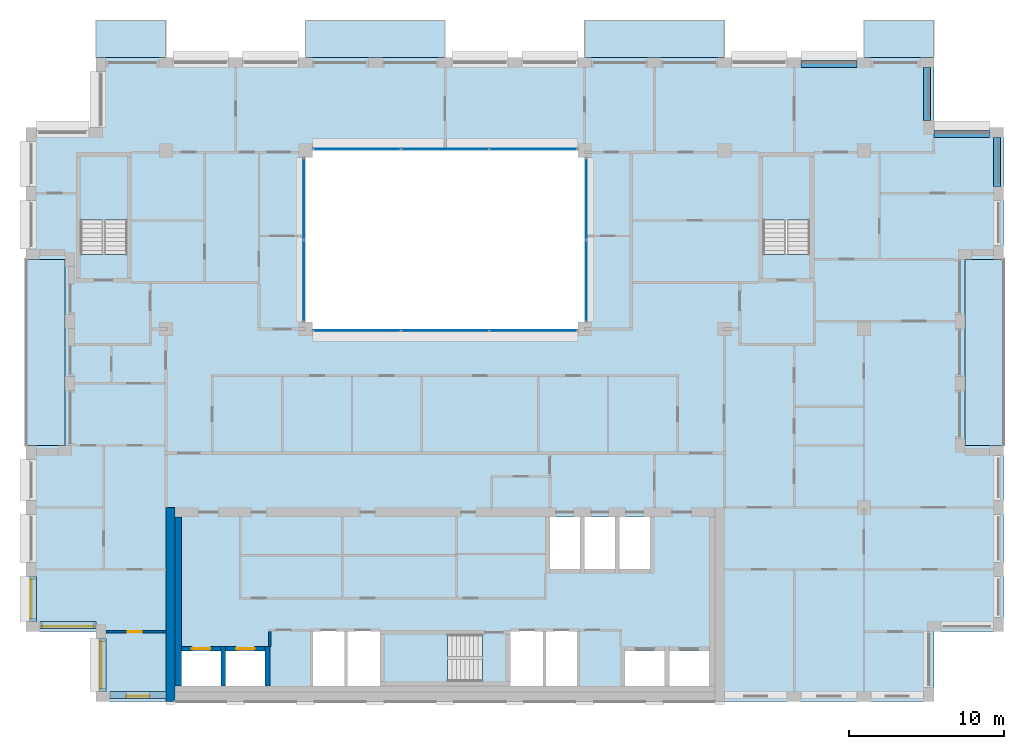
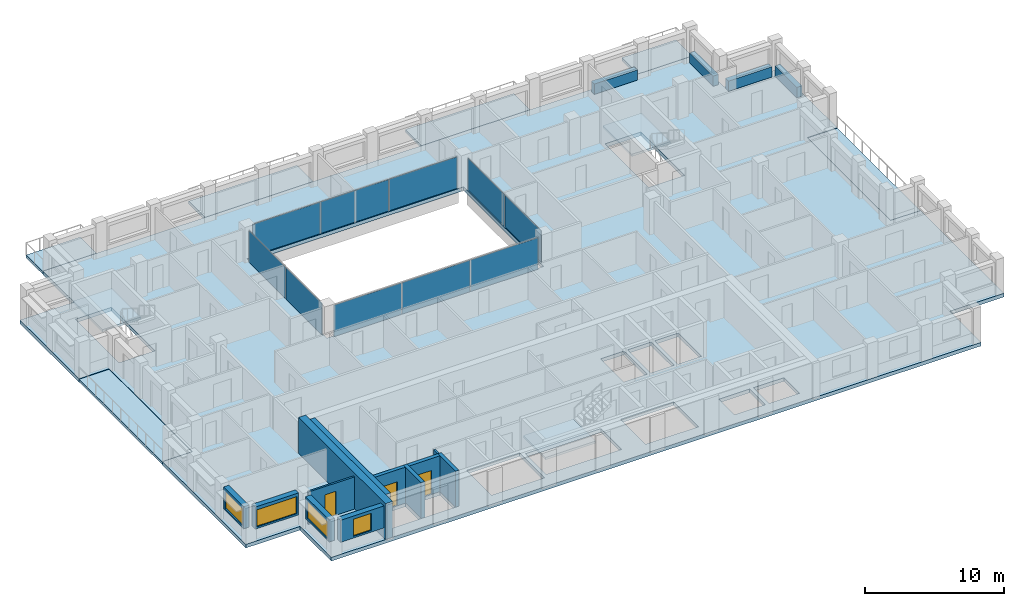
# One storey, part 7 of 15: 12 walls, 10 plates, 10 slabs, 4 beams, 4 windows, 3 doors, 7 openings, 7 elements without a shape of their own.
"""IFC4 building model written with IfcOpenShell, lengths in metres."""

from ifc_helpers import new_model, si_unit, direction, frame, frame_2d, origin, origin_2d, place, context, subcontext, project, spatial, polyline, rectangle, outline, extrude, material, layer, layer_set, material_profile, profile_set, type_object, element, fill, aggregate, save


model = new_model("IFC4")

# Units and contexts
model_context = context("Model", 3, precision=1e-05, world=origin(), true_north=direction((0.0, 1.0)))
body_context = subcontext(model_context, "Body", "Model", "MODEL_VIEW")
ifc_project = project(units=[si_unit("LENGTHUNIT", "METRE"), si_unit("AREAUNIT", "SQUARE_METRE"), si_unit("VOLUMEUNIT", "CUBIC_METRE"), si_unit("PLANEANGLEUNIT", "RADIAN"), si_unit("MASSUNIT", "GRAM", prefix="KILO")], contexts=[model_context])

# Site, building, storey
site_placement = place(None, origin())
site = spatial("IfcSite", under=ifc_project, at=site_placement, CompositionType="ELEMENT")
building_placement = place(site_placement, origin())
building = spatial("IfcBuilding", under=site, at=building_placement, Name="Brigalow Station Residences", CompositionType="ELEMENT")
storey_placement = place(building_placement, frame((0.0, 0.0, 229.5)))
storey = spatial("IfcBuildingStorey", under=building, at=storey_placement, Name="L66", CompositionType="ELEMENT", Elevation=229.5)

# Beams
ifc_material_1 = material(Name="Concrete C50", Category="concrete")
ifc_material_profile = material_profile(ifc_material_1, rectangle(XDim=0.449951171875, YDim=0.89990234375, at=origin_2d()), Name="RC450x900")
ifc_profile_set = profile_set([ifc_material_profile], Name="Concrete C50")
beam_type = type_object("IfcBeamType", Name="SPANDREL BEAM 450x900 C50", PredefinedType="SPANDREL", material=ifc_profile_set)
beam_1_placement = place(storey_placement, frame((71.574951171875, 33.199951171875, 0.449951171875), z_axis=(0.0, 1.0, 0.0), x_axis=(-1.0, 0.0, 0.0)))
element("IfcBeam", 1, at=beam_1_placement, inside=storey, type_object=beam_type, Name="L66/spandrel/W-L66-17", PredefinedType="SPANDREL", context=body_context, shape_type="SweptSolid", body=[
    extrude(rectangle(XDim=0.449951171875, YDim=0.89990234375, at=origin_2d()), origin(), (0.0, 0.0, 1.0), 3.150146484375),
])
beam_2_placement = place(storey_placement, frame((71.10009765625, 36.574951171875, 0.449951171875), z_axis=(-1.0, 0.0, 0.0), x_axis=(0.0, -1.0, 0.0)))
element("IfcBeam", 2, at=beam_2_placement, inside=storey, type_object=beam_type, Name="L66/spandrel/W-L66-18", PredefinedType="SPANDREL", context=body_context, shape_type="SweptSolid", body=[
    extrude(rectangle(XDim=0.449951171875, YDim=0.89990234375, at=origin_2d()), origin(), (0.0, 0.0, 1.0), 3.60009765625),
])
beam_3_placement = place(storey_placement, frame((67.074951171875, 37.449951171875, 0.449951171875), z_axis=(0.0, 1.0, 0.0), x_axis=(-1.0, 0.0, 0.0)))
element("IfcBeam", 3, at=beam_3_placement, inside=storey, type_object=beam_type, Name="L66/spandrel/W-L66-19", PredefinedType="SPANDREL", context=body_context, shape_type="SweptSolid", body=[
    extrude(rectangle(XDim=0.449951171875, YDim=0.89990234375, at=origin_2d()), origin(), (0.0, 0.0, 1.0), 3.400146484375),
])
beam_4_placement = place(storey_placement, frame((62.550048828125, 41.074951171875, 0.449951171875), z_axis=(-1.0, 0.0, 0.0), x_axis=(0.0, -1.0, 0.0)))
element("IfcBeam", 4, at=beam_4_placement, inside=storey, type_object=beam_type, Name="L66/spandrel/W-L66-21", PredefinedType="SPANDREL", context=body_context, shape_type="SweptSolid", body=[
    extrude(rectangle(XDim=0.449951171875, YDim=0.89990234375, at=origin_2d()), origin(), (0.0, 0.0, 1.0), 3.60009765625),
])

# Curtain wall, plates
ifc_material_2 = material(Name="Aluminium", Category="aluminium")
ifc_layer_1 = layer(ifc_material_2, 0.14990234375)
ifc_layer_set_1 = layer_set([ifc_layer_1], Name="ATRIUM FIRE-RATED GLAZING CURTAIN WALL")
curtain_wall_type = type_object("IfcCurtainWallType", Name="ATRIUM FIRE-RATED GLAZING CURTAIN WALL", PredefinedType="NOTDEFINED", material=ifc_layer_set_1)
curtain_wall_1_placement = place(storey_placement, origin())
curtain_wall_1 = element("IfcCurtainWall", 5, at=curtain_wall_1_placement, inside=storey, type_object=curtain_wall_type, Name="L66/cw/atrium-S", PredefinedType="NOTDEFINED")
ifc_material_3 = material(Name="Fire-resisting laminated glazing, FRL -/60/-", Category="glass")
ifc_layer_2 = layer(ifc_material_3, 0.031982421875)
ifc_layer_set_2 = layer_set([ifc_layer_2], Name="ATRIUM FIRE-RATED GLAZING PANEL 32")
plate_type = type_object("IfcPlateType", Name="ATRIUM FIRE-RATED GLAZING PANEL 32", PredefinedType="CURTAIN_PANEL", material=ifc_layer_set_2)
plate_1_placement = place(storey_placement, frame((30.31494140625, 23.89990234375, 0.0), z_axis=(0.0, 0.0, 1.0), x_axis=(1.0, 0.0, 0.0)))
plate_1 = element("IfcPlate", 6, at=plate_1_placement, type_object=plate_type, Name="L66/cw/atrium-S/P00-00", PredefinedType="CURTAIN_PANEL", context=body_context, shape_type="SweptSolid", body=[
    extrude(rectangle(XDim=5.610107421875, YDim=0.031982421875, at=origin_2d()), origin(), (0.0, 0.0, 1.0), 2.77001953125),
])
plate_2_placement = place(storey_placement, frame((36.0, 23.89990234375, 0.0), z_axis=(0.0, 0.0, 1.0), x_axis=(1.0, 0.0, 0.0)))
plate_2 = element("IfcPlate", 7, at=plate_2_placement, type_object=plate_type, Name="L66/cw/atrium-S/P01-00", PredefinedType="CURTAIN_PANEL", context=body_context, shape_type="SweptSolid", body=[
    extrude(rectangle(XDim=5.639892578125, YDim=0.031982421875, at=origin_2d()), origin(), (0.0, 0.0, 1.0), 2.77001953125),
])
plate_3_placement = place(storey_placement, frame((41.68505859375, 23.89990234375, 0.0), z_axis=(0.0, 0.0, 1.0), x_axis=(1.0, 0.0, 0.0)))
plate_3 = element("IfcPlate", 8, at=plate_3_placement, type_object=plate_type, Name="L66/cw/atrium-S/P02-00", PredefinedType="CURTAIN_PANEL", context=body_context, shape_type="SweptSolid", body=[
    extrude(rectangle(XDim=5.610107421875, YDim=0.031982421875, at=origin_2d()), origin(), (0.0, 0.0, 1.0), 2.77001953125),
])
aggregate(curtain_wall_1, [plate_1, plate_2, plate_3])

curtain_wall_2_placement = place(storey_placement, origin())
curtain_wall_2 = element("IfcCurtainWall", 9, at=curtain_wall_2_placement, inside=storey, type_object=curtain_wall_type, Name="L66/cw/atrium-E", PredefinedType="NOTDEFINED")
plate_4_placement = place(storey_placement, frame((45.10009765625, 27.114990234375, 0.0), z_axis=(0.0, 0.0, 1.0), x_axis=(0.0, 1.0, 0.0)))
plate_4 = element("IfcPlate", 10, at=plate_4_placement, type_object=plate_type, Name="L66/cw/atrium-E/P00-00", PredefinedType="CURTAIN_PANEL", context=body_context, shape_type="SweptSolid", body=[
    extrude(rectangle(XDim=5.2099609375, YDim=0.031982421875, at=origin_2d()), origin(), (0.0, 0.0, 1.0), 2.77001953125),
])
plate_5_placement = place(storey_placement, frame((45.10009765625, 32.385009765625, 0.0), z_axis=(0.0, 0.0, 1.0), x_axis=(0.0, 1.0, 0.0)))
plate_5 = element("IfcPlate", 11, at=plate_5_placement, type_object=plate_type, Name="L66/cw/atrium-E/P01-00", PredefinedType="CURTAIN_PANEL", context=body_context, shape_type="SweptSolid", body=[
    extrude(rectangle(XDim=5.2099609375, YDim=0.031982421875, at=origin_2d()), origin(), (0.0, 0.0, 1.0), 2.77001953125),
])
aggregate(curtain_wall_2, [plate_4, plate_5])

curtain_wall_3_placement = place(storey_placement, origin())
curtain_wall_3 = element("IfcCurtainWall", 12, at=curtain_wall_3_placement, inside=storey, type_object=curtain_wall_type, Name="L66/cw/atrium-N", PredefinedType="NOTDEFINED")
plate_6_placement = place(storey_placement, frame((41.68505859375, 35.60009765625, 0.0), z_axis=(0.0, 0.0, 1.0), x_axis=(-1.0, 0.0, 0.0)))
plate_6 = element("IfcPlate", 13, at=plate_6_placement, type_object=plate_type, Name="L66/cw/atrium-N/P00-00", PredefinedType="CURTAIN_PANEL", context=body_context, shape_type="SweptSolid", body=[
    extrude(rectangle(XDim=5.610107421875, YDim=0.031982421875, at=origin_2d()), origin(), (0.0, 0.0, 1.0), 2.77001953125),
])
plate_7_placement = place(storey_placement, frame((36.0, 35.60009765625, 0.0), z_axis=(0.0, 0.0, 1.0), x_axis=(-1.0, 0.0, 0.0)))
plate_7 = element("IfcPlate", 14, at=plate_7_placement, type_object=plate_type, Name="L66/cw/atrium-N/P01-00", PredefinedType="CURTAIN_PANEL", context=body_context, shape_type="SweptSolid", body=[
    extrude(rectangle(XDim=5.639892578125, YDim=0.031982421875, at=origin_2d()), origin(), (0.0, 0.0, 1.0), 2.77001953125),
])
plate_8_placement = place(storey_placement, frame((30.31494140625, 35.60009765625, 0.0), z_axis=(0.0, 0.0, 1.0), x_axis=(-1.0, 0.0, 0.0)))
plate_8 = element("IfcPlate", 15, at=plate_8_placement, type_object=plate_type, Name="L66/cw/atrium-N/P02-00", PredefinedType="CURTAIN_PANEL", context=body_context, shape_type="SweptSolid", body=[
    extrude(rectangle(XDim=5.610107421875, YDim=0.031982421875, at=origin_2d()), origin(), (0.0, 0.0, 1.0), 2.77001953125),
])
aggregate(curtain_wall_3, [plate_6, plate_7, plate_8])

curtain_wall_4_placement = place(storey_placement, origin())
curtain_wall_4 = element("IfcCurtainWall", 16, at=curtain_wall_4_placement, inside=storey, type_object=curtain_wall_type, Name="L66/cw/atrium-W", PredefinedType="NOTDEFINED")
plate_9_placement = place(storey_placement, frame((26.89990234375, 32.385009765625, 0.0), z_axis=(0.0, 0.0, 1.0), x_axis=(0.0, -1.0, 0.0)))
plate_9 = element("IfcPlate", 17, at=plate_9_placement, type_object=plate_type, Name="L66/cw/atrium-W/P00-00", PredefinedType="CURTAIN_PANEL", context=body_context, shape_type="SweptSolid", body=[
    extrude(rectangle(XDim=5.2099609375, YDim=0.031982421875, at=origin_2d()), origin(), (0.0, 0.0, 1.0), 2.77001953125),
])
plate_10_placement = place(storey_placement, frame((26.89990234375, 27.114990234375, 0.0), z_axis=(0.0, 0.0, 1.0), x_axis=(0.0, -1.0, 0.0)))
plate_10 = element("IfcPlate", 18, at=plate_10_placement, type_object=plate_type, Name="L66/cw/atrium-W/P01-00", PredefinedType="CURTAIN_PANEL", context=body_context, shape_type="SweptSolid", body=[
    extrude(rectangle(XDim=5.2099609375, YDim=0.031982421875, at=origin_2d()), origin(), (0.0, 0.0, 1.0), 2.77001953125),
])
aggregate(curtain_wall_4, [plate_9, plate_10])

# Slabs
ifc_material_4 = material(Name="Concrete C50 precast", Category="concrete")
ifc_layer_3 = layer(ifc_material_4, 0.25)
ifc_layer_set_3 = layer_set([ifc_layer_3], Name="BALCONY SLAB 250")
slab_type_1 = type_object("IfcSlabType", Name="BALCONY SLAB 250", PredefinedType="USERDEFINED", material=ifc_layer_set_3)
slab_1_placement = place(storey_placement, frame((0.0, 0.0, -0.2900390625)))
element("IfcSlab", 19, at=slab_1_placement, inside=storey, type_object=slab_type_1, Name="L66/balcony/1", ObjectType="BALCONY", PredefinedType="USERDEFINED", context=body_context, shape_type="SweptSolid", body=[
    extrude(outline(polyline([(69.5, 16.5), (72.0, 16.5), (72.0, 28.5), (69.5, 28.5), (69.5, 16.5)])), origin(), (0.0, 0.0, 1.0), 0.25),
])
slab_2_placement = place(storey_placement, frame((0.0, 0.0, -0.2900390625)))
element("IfcSlab", 20, at=slab_2_placement, inside=storey, type_object=slab_type_1, Name="L66/balcony/2", ObjectType="BALCONY", PredefinedType="USERDEFINED", context=body_context, shape_type="SweptSolid", body=[
    extrude(outline(polyline([(67.5, 41.5), (67.5, 43.89990234375), (63.0, 43.89990234375), (63.0, 41.5), (67.5, 41.5)])), origin(), (0.0, 0.0, 1.0), 0.25),
])
slab_3_placement = place(storey_placement, frame((0.0, 0.0, -0.2900390625)))
element("IfcSlab", 21, at=slab_3_placement, inside=storey, type_object=slab_type_1, Name="L66/balcony/3", ObjectType="BALCONY", PredefinedType="USERDEFINED", context=body_context, shape_type="SweptSolid", body=[
    extrude(outline(polyline([(54.0, 41.5), (54.0, 43.89990234375), (45.0, 43.89990234375), (45.0, 41.5), (54.0, 41.5)])), origin(), (0.0, 0.0, 1.0), 0.25),
])
slab_4_placement = place(storey_placement, frame((0.0, 0.0, -0.2900390625)))
element("IfcSlab", 22, at=slab_4_placement, inside=storey, type_object=slab_type_1, Name="L66/balcony/4", ObjectType="BALCONY", PredefinedType="USERDEFINED", context=body_context, shape_type="SweptSolid", body=[
    extrude(outline(polyline([(36.0, 41.5), (36.0, 43.89990234375), (27.0, 43.89990234375), (27.0, 41.5), (36.0, 41.5)])), origin(), (0.0, 0.0, 1.0), 0.25),
])
slab_5_placement = place(storey_placement, frame((0.0, 0.0, -0.2900390625)))
element("IfcSlab", 23, at=slab_5_placement, inside=storey, type_object=slab_type_1, Name="L66/balcony/5", ObjectType="BALCONY", PredefinedType="USERDEFINED", context=body_context, shape_type="SweptSolid", body=[
    extrude(outline(polyline([(18.0, 41.5), (18.0, 43.89990234375), (13.5, 43.89990234375), (13.5, 41.5), (18.0, 41.5)])), origin(), (0.0, 0.0, 1.0), 0.25),
])
slab_6_placement = place(storey_placement, frame((0.0, 0.0, -0.2900390625)))
element("IfcSlab", 24, at=slab_6_placement, inside=storey, type_object=slab_type_1, Name="L66/balcony/6", ObjectType="BALCONY", PredefinedType="USERDEFINED", context=body_context, shape_type="SweptSolid", body=[
    extrude(outline(polyline([(11.5, 28.5), (9.0, 28.5), (9.0, 16.5), (11.5, 16.5), (11.5, 28.5)])), origin(), (0.0, 0.0, 1.0), 0.25),
])
ifc_material_5 = material(Name="Concrete C50", Category="concrete")
ifc_layer_4 = layer(ifc_material_5, 0.320068359375)
ifc_layer_set_4 = layer_set([ifc_layer_4], Name="POST-TENSIONED FLAT PLATE 320 C50")
slab_type_2 = type_object("IfcSlabType", Name="POST-TENSIONED FLAT PLATE 320 C50", PredefinedType="FLOOR", material=ifc_layer_set_4)
slab_7_placement = place(storey_placement, frame((0.0, 0.0, -0.320068359375)))
element("IfcSlab", 25, at=slab_7_placement, inside=storey, type_object=slab_type_2, Name="FLOOR SLAB L66", PredefinedType="FLOOR", context=body_context, shape_type="SweptSolid", body=[
    extrude(outline(polyline([(13.5, 0.0), (67.5, 0.0), (67.5, 4.5), (72.0, 4.5), (72.0, 16.5), (69.5, 16.5), (69.5, 28.5), (72.0, 28.5), (72.0, 37.0), (67.5, 37.0), (67.5, 41.5), (13.5, 41.5), (13.5, 37.0), (9.0, 37.0), (9.0, 28.5), (11.5, 28.5), (11.5, 16.5), (9.0, 16.5), (9.0, 4.5), (13.5, 4.5), (13.5, 0.0)]), holes=[polyline([(12.5048828125, 35.094970703125), (15.4951171875, 35.094970703125), (15.4951171875, 28.804931640625), (12.5048828125, 28.804931640625), (12.5048828125, 35.094970703125)]), polyline([(19.0, 1.0), (19.0, 3.25), (21.550048828125, 3.25), (21.550048828125, 1.0), (19.0, 1.0)]), polyline([(21.85009765625, 3.25), (24.39990234375, 3.25), (24.39990234375, 1.0), (21.85009765625, 1.0), (21.85009765625, 3.25)]), polyline([(27.0, 35.5), (45.0, 35.5), (45.0, 24.0), (27.0, 24.0), (27.0, 35.5)]), polyline([(29.60009765625, 4.60009765625), (31.800048828125, 4.60009765625), (31.800048828125, 1.0), (29.60009765625, 1.0), (27.39990234375, 1.0), (27.39990234375, 4.60009765625), (29.60009765625, 4.60009765625)]), polyline([(32.10498046875, 4.294921875), (38.39501953125, 4.294921875), (38.39501953125, 1.304931640625), (32.10498046875, 1.304931640625), (32.10498046875, 4.294921875)]), polyline([(40.199951171875, 4.60009765625), (42.39990234375, 4.60009765625), (44.60009765625, 4.60009765625), (44.60009765625, 1.0), (42.39990234375, 1.0), (40.199951171875, 1.0), (40.199951171875, 4.60009765625)]), polyline([(42.75, 11.89990234375), (44.699951171875, 11.89990234375), (44.699951171875, 8.550048828125), (42.75, 8.550048828125), (42.75, 11.89990234375)]), polyline([(45.0, 11.89990234375), (46.949951171875, 11.89990234375), (46.949951171875, 8.550048828125), (45.0, 8.550048828125), (45.0, 11.89990234375)]), polyline([(47.25, 11.89990234375), (49.199951171875, 11.89990234375), (49.199951171875, 8.550048828125), (47.25, 8.550048828125), (47.25, 11.89990234375)]), polyline([(47.60009765625, 3.25), (50.14990234375, 3.25), (50.14990234375, 1.0), (47.60009765625, 1.0), (47.60009765625, 3.25)]), polyline([(50.449951171875, 3.25), (53.0, 3.25), (53.0, 1.0), (50.449951171875, 1.0), (50.449951171875, 3.25)]), polyline([(56.5048828125, 35.094970703125), (59.4951171875, 35.094970703125), (59.4951171875, 28.804931640625), (56.5048828125, 28.804931640625), (56.5048828125, 35.094970703125)])]), origin(), (0.0, 0.0, 1.0), 0.320068359375),
])

# Stair, slab
ifc_material_6 = material(Name="Concrete C50", Category="concrete")
stair_type = type_object("IfcStairType", Name="EXIT STAIR 1400 2 FLIGHT", PredefinedType="HALF_TURN_STAIR", material=ifc_material_6)
stair_1_placement = place(storey_placement, origin())
stair_1 = element("IfcStair", 26, at=stair_1_placement, inside=storey, type_object=stair_type, Name="EXIT STAIR S2 L66", PredefinedType="HALF_TURN_STAIR")
ifc_material_7 = material(Name="Concrete C50", Category="concrete")
ifc_layer_5 = layer(ifc_material_7, 0.199951171875)
ifc_layer_set_5 = layer_set([ifc_layer_5], Name="STAIR LANDING 200")
slab_type_3 = type_object("IfcSlabType", Name="STAIR LANDING 200", PredefinedType="LANDING", material=ifc_layer_set_5)
slab_8_placement = place(storey_placement, frame((0.0, 0.0, 1.375)))
slab_8 = element("IfcSlab", 27, at=slab_8_placement, type_object=slab_type_3, Name="ST-2 landing 1", PredefinedType="LANDING", context=body_context, shape_type="SweptSolid", body=[
    extrude(outline(polyline([(32.0, 1.199951171875), (36.159912109375, 1.199951171875), (36.159912109375, 4.39990234375), (32.0, 4.39990234375), (32.0, 1.199951171875)])), origin(), (0.0, 0.0, 1.0), 0.199951171875),
])
aggregate(stair_1, [slab_8])

stair_2_placement = place(storey_placement, origin())
stair_2 = element("IfcStair", 28, at=stair_2_placement, inside=storey, type_object=stair_type, Name="EXIT STAIR S1 L66", PredefinedType="HALF_TURN_STAIR")
slab_9_placement = place(storey_placement, frame((0.0, 0.0, 1.375)))
slab_9 = element("IfcSlab", 29, at=slab_9_placement, type_object=slab_type_3, Name="ST-1 landing 1", PredefinedType="LANDING", context=body_context, shape_type="SweptSolid", body=[
    extrude(outline(polyline([(12.39990234375, 31.0400390625), (15.60009765625, 31.0400390625), (15.60009765625, 35.199951171875), (12.39990234375, 35.199951171875), (12.39990234375, 31.0400390625)])), origin(), (0.0, 0.0, 1.0), 0.199951171875),
])
aggregate(stair_2, [slab_9])

stair_3_placement = place(storey_placement, origin())
stair_3 = element("IfcStair", 30, at=stair_3_placement, inside=storey, type_object=stair_type, Name="EXIT STAIR S3 L66", PredefinedType="HALF_TURN_STAIR")
slab_10_placement = place(storey_placement, frame((0.0, 0.0, 1.375)))
slab_10 = element("IfcSlab", 31, at=slab_10_placement, type_object=slab_type_3, Name="ST-3 landing 1", PredefinedType="LANDING", context=body_context, shape_type="SweptSolid", body=[
    extrude(outline(polyline([(56.39990234375, 31.0400390625), (59.60009765625, 31.0400390625), (59.60009765625, 35.199951171875), (56.39990234375, 35.199951171875), (56.39990234375, 31.0400390625)])), origin(), (0.0, 0.0, 1.0), 0.199951171875),
])
aggregate(stair_3, [slab_10])

# Wall, opening, window
ifc_material_8 = material(Name="Clay brick masonry", Category="masonry")
ifc_layer_6 = layer(ifc_material_8, 0.449951171875)
ifc_layer_set_6 = layer_set([ifc_layer_6], Name="BRICK INFILL WALL 450")
wall_type_1 = type_object("IfcWallType", Name="BRICK INFILL WALL 450", PredefinedType="SOLIDWALL", material=ifc_layer_set_6)
wall_1_placement = place(storey_placement, frame((14.39990234375, 0.425048828125, 0.89990234375), z_axis=(0.0, 0.0, 1.0), x_axis=(1.0, 0.0, 0.0)))
wall_1 = element("IfcWall", 32, at=wall_1_placement, inside=storey, type_object=wall_type_1, Name="L66/ewall/W-L66-1", PredefinedType="SOLIDWALL", context=body_context, shape_type="SweptSolid", body=[
    extrude(rectangle(XDim=3.60009765625, YDim=0.449951171875, at=frame_2d((1.800048828125, 0.0))), origin(), (0.0, 0.0, 1.0), 1.93017578125),
])
opening_1_placement = place(wall_1_placement, frame((1.050048828125, 0.0, 0.14990234375)))
opening_1 = element("IfcOpeningElement", 33, at=opening_1_placement, cuts=wall_1, Name="Opening WT-1", PredefinedType="OPENING", context=body_context, shape_type="SweptSolid", body=[
    extrude(rectangle(XDim=1.5, YDim=1.5, at=frame_2d((0.75, 0.75))), frame((0.0, 0.23486328125, 0.0), z_axis=(0.0, -1.0, 0.0), x_axis=(1.0, 0.0, 0.0)), (0.0, 0.0, 1.0), 0.469970703125),
])
ifc_material_9 = material(Name="Anodised aluminium frame with double glazing", Category="aluminium")
window_type_1 = type_object("IfcWindowType", Name="WINDOW 1500x1500", PartitioningType="SINGLE_PANEL", PredefinedType="WINDOW", material=ifc_material_9)
window_1_placement = place(opening_1_placement, origin())
window_1 = element("IfcWindow", 34, at=window_1_placement, inside=storey, type_object=window_type_1, Name="L66/window/W-L66-1", OverallHeight=1.5, OverallWidth=1.5, PartitioningType="SINGLE_PANEL", PredefinedType="WINDOW", context=body_context, shape_type="SweptSolid", body=[
    extrude(rectangle(XDim=1.5, YDim=1.5, at=frame_2d((0.75, 0.75))), frame((0.0, -0.06494140625, 0.0), z_axis=(0.0, -1.0, 0.0), x_axis=(1.0, 0.0, 0.0)), (0.0, 0.0, 1.0), 0.06005859375),
])
fill(opening_1, window_1)

wall_2_placement = place(storey_placement, frame((9.425048828125, 8.050048828125, 0.89990234375), z_axis=(0.0, 0.0, 1.0), x_axis=(0.0, -1.0, 0.0)))
wall_2 = element("IfcWall", 35, at=wall_2_placement, inside=storey, type_object=wall_type_1, Name="L66/ewall/W-L66-43", PredefinedType="SOLIDWALL", context=body_context, shape_type="SweptSolid", body=[
    extrude(rectangle(XDim=2.900146484375, YDim=0.449951171875, at=frame_2d((1.4501953125, 0.0))), origin(), (0.0, 0.0, 1.0), 1.93017578125),
])
opening_2_placement = place(wall_2_placement, frame((0.199951171875, 0.0, 0.14990234375)))
opening_2 = element("IfcOpeningElement", 36, at=opening_2_placement, cuts=wall_2, Name="Opening WT-5", PredefinedType="OPENING", context=body_context, shape_type="SweptSolid", body=[
    extrude(rectangle(XDim=2.5, YDim=1.5, at=frame_2d((1.25, 0.75))), frame((0.0, 0.23486328125, 0.0), z_axis=(0.0, -1.0, 0.0), x_axis=(1.0, 0.0, 0.0)), (0.0, 0.0, 1.0), 0.469970703125),
])
ifc_material_10 = material(Name="Anodised aluminium frame with double glazing", Category="aluminium")
window_type_2 = type_object("IfcWindowType", Name="WINDOW 2500x1500", PartitioningType="SINGLE_PANEL", PredefinedType="WINDOW", material=ifc_material_10)
window_2_placement = place(opening_2_placement, origin())
window_2 = element("IfcWindow", 37, at=window_2_placement, inside=storey, type_object=window_type_2, Name="L66/window/W-L66-43", OverallHeight=1.5, OverallWidth=2.5, PartitioningType="SINGLE_PANEL", PredefinedType="WINDOW", context=body_context, shape_type="SweptSolid", body=[
    extrude(rectangle(XDim=2.5, YDim=1.5, at=frame_2d((1.25, 0.75))), frame((0.0, -0.06494140625, 0.0), z_axis=(0.0, -1.0, 0.0), x_axis=(1.0, 0.0, 0.0)), (0.0, 0.0, 1.0), 0.06005859375),
])
fill(opening_2, window_2)

wall_3_placement = place(storey_placement, frame((9.89990234375, 4.925048828125, 0.89990234375), z_axis=(0.0, 0.0, 1.0), x_axis=(1.0, 0.0, 0.0)))
wall_3 = element("IfcWall", 38, at=wall_3_placement, inside=storey, type_object=wall_type_1, Name="L66/ewall/W-L66-44", PredefinedType="SOLIDWALL", context=body_context, shape_type="SweptSolid", body=[
    extrude(rectangle(XDim=3.60009765625, YDim=0.449951171875, at=frame_2d((1.800048828125, 0.0))), origin(), (0.0, 0.0, 1.0), 1.93017578125),
])
opening_3_placement = place(wall_3_placement, frame((0.14990234375, 0.0, 0.14990234375)))
opening_3 = element("IfcOpeningElement", 39, at=opening_3_placement, cuts=wall_3, Name="Opening WT-10", PredefinedType="OPENING", context=body_context, shape_type="SweptSolid", body=[
    extrude(rectangle(XDim=3.300048828125, YDim=1.5, at=frame_2d((1.64990234375, 0.75))), frame((0.0, 0.23486328125, 0.0), z_axis=(0.0, -1.0, 0.0), x_axis=(1.0, 0.0, 0.0)), (0.0, 0.0, 1.0), 0.469970703125),
])
ifc_material_11 = material(Name="Anodised aluminium frame with double glazing", Category="aluminium")
window_type_3 = type_object("IfcWindowType", Name="WINDOW 3300x1500", PartitioningType="SINGLE_PANEL", PredefinedType="WINDOW", material=ifc_material_11)
window_3_placement = place(opening_3_placement, origin())
window_3 = element("IfcWindow", 40, at=window_3_placement, inside=storey, type_object=window_type_3, Name="L66/window/W-L66-44", OverallHeight=1.5, OverallWidth=3.300048828125, PartitioningType="SINGLE_PANEL", PredefinedType="WINDOW", context=body_context, shape_type="SweptSolid", body=[
    extrude(rectangle(XDim=3.300048828125, YDim=1.5, at=frame_2d((1.64990234375, 0.75))), frame((0.0, -0.06494140625, 0.0), z_axis=(0.0, -1.0, 0.0), x_axis=(1.0, 0.0, 0.0)), (0.0, 0.0, 1.0), 0.06005859375),
])
fill(opening_3, window_3)

wall_4_placement = place(storey_placement, frame((13.925048828125, 4.050048828125, 0.89990234375), z_axis=(0.0, 0.0, 1.0), x_axis=(0.0, -1.0, 0.0)))
wall_4 = element("IfcWall", 41, at=wall_4_placement, inside=storey, type_object=wall_type_1, Name="L66/ewall/W-L66-45", PredefinedType="SOLIDWALL", context=body_context, shape_type="SweptSolid", body=[
    extrude(rectangle(XDim=3.400146484375, YDim=0.449951171875, at=frame_2d((1.7001953125, 0.0))), origin(), (0.0, 0.0, 1.0), 1.93017578125),
])
opening_4_placement = place(wall_4_placement, frame((0.199951171875, 0.0, 0.14990234375)))
opening_4 = element("IfcOpeningElement", 42, at=opening_4_placement, cuts=wall_4, Name="Opening WT-2", PredefinedType="OPENING", context=body_context, shape_type="SweptSolid", body=[
    extrude(rectangle(XDim=3.0, YDim=1.5, at=frame_2d((1.5, 0.75))), frame((0.0, 0.23486328125, 0.0), z_axis=(0.0, -1.0, 0.0), x_axis=(1.0, 0.0, 0.0)), (0.0, 0.0, 1.0), 0.469970703125),
])
ifc_material_12 = material(Name="Anodised aluminium frame with double glazing", Category="aluminium")
window_type_4 = type_object("IfcWindowType", Name="WINDOW 3000x1500", PartitioningType="SINGLE_PANEL", PredefinedType="WINDOW", material=ifc_material_12)
window_4_placement = place(opening_4_placement, origin())
window_4 = element("IfcWindow", 43, at=window_4_placement, inside=storey, type_object=window_type_4, Name="L66/window/W-L66-45", OverallHeight=1.5, OverallWidth=3.0, PartitioningType="SINGLE_PANEL", PredefinedType="WINDOW", context=body_context, shape_type="SweptSolid", body=[
    extrude(rectangle(XDim=3.0, YDim=1.5, at=frame_2d((1.5, 0.75))), frame((0.0, -0.06494140625, 0.0), z_axis=(0.0, -1.0, 0.0), x_axis=(1.0, 0.0, 0.0)), (0.0, 0.0, 1.0), 0.06005859375),
])
fill(opening_4, window_4)

# Wall, opening, door
ifc_material_13 = material(Name="Concrete C50", Category="concrete")
ifc_layer_7 = layer(ifc_material_13, 0.300048828125)
ifc_layer_set_7 = layer_set([ifc_layer_7], Name="CORE SHEAR WALL 300 C50")
wall_type_2 = type_object("IfcWallType", Name="CORE SHEAR WALL 300 C50", PredefinedType="SHEAR", material=ifc_layer_set_7)
wall_5_placement = place(storey_placement, frame((19.0, 3.39990234375, 0.0), z_axis=(0.0, 0.0, 1.0), x_axis=(1.0, 0.0, 0.0)))
wall_5 = element("IfcWall", 44, at=wall_5_placement, inside=storey, type_object=wall_type_2, Name="CORE WALL SH-C1-N L66", PredefinedType="SHEAR", context=body_context, shape_type="SweptSolid", body=[
    extrude(rectangle(XDim=2.550048828125, YDim=0.300048828125, at=frame_2d((1.27490234375, 0.0))), origin(), (0.0, 0.0, 1.0), 3.14990234375),
])
opening_5_placement = place(wall_5_placement, frame((0.675048828125, 0.0, 0.0)))
opening_5 = element("IfcOpeningElement", 45, at=opening_5_placement, cuts=wall_5, Name="Opening LD-LB1", PredefinedType="OPENING", context=body_context, shape_type="SweptSolid", body=[
    extrude(rectangle(XDim=1.199951171875, YDim=2.10009765625, at=frame_2d((0.60009765625, 1.050048828125))), frame((0.0, 0.16015625, 0.0), z_axis=(0.0, -1.0, 0.0), x_axis=(1.0, 0.0, 0.0)), (0.0, 0.0, 1.0), 0.320068359375),
])
ifc_material_14 = material(Name="Stainless steel sliding door leaves", Category="steel")
door_type_1 = type_object("IfcDoorType", Name="LIFT LANDING DOOR 1200 x 2100", OperationType="DOUBLE_DOOR_SLIDING", PredefinedType="DOOR", material=ifc_material_14)
door_1_placement = place(opening_5_placement, origin())
door_1 = element("IfcDoor", 46, at=door_1_placement, inside=storey, type_object=door_type_1, Name="LANDING DOOR LB1", OperationType="DOUBLE_DOOR_SLIDING", OverallHeight=2.10009765625, OverallWidth=1.199951171875, PredefinedType="DOOR", context=body_context, shape_type="SweptSolid", body=[
    extrude(rectangle(XDim=1.199951171875, YDim=2.10009765625, at=frame_2d((0.60009765625, 1.050048828125))), frame((0.0, 0.02490234375, 0.0), z_axis=(0.0, -1.0, 0.0), x_axis=(1.0, 0.0, 0.0)), (0.0, 0.0, 1.0), 0.050048828125),
])
fill(opening_5, door_1)

wall_6_placement = place(storey_placement, frame((21.85009765625, 3.39990234375, 0.0), z_axis=(0.0, 0.0, 1.0), x_axis=(1.0, 0.0, 0.0)))
wall_6 = element("IfcWall", 47, at=wall_6_placement, inside=storey, type_object=wall_type_2, Name="CORE WALL SH-C2-N L66", PredefinedType="SHEAR", context=body_context, shape_type="SweptSolid", body=[
    extrude(rectangle(XDim=2.5498046875, YDim=0.300048828125, at=frame_2d((1.27490234375, 0.0))), origin(), (0.0, 0.0, 1.0), 3.14990234375),
])
opening_6_placement = place(wall_6_placement, frame((0.675048828125, 0.0, 0.0)))
opening_6 = element("IfcOpeningElement", 48, at=opening_6_placement, cuts=wall_6, Name="Opening LD-LB2", PredefinedType="OPENING", context=body_context, shape_type="SweptSolid", body=[
    extrude(rectangle(XDim=1.199951171875, YDim=2.10009765625, at=frame_2d((0.60009765625, 1.050048828125))), frame((0.0, 0.16015625, 0.0), z_axis=(0.0, -1.0, 0.0), x_axis=(1.0, 0.0, 0.0)), (0.0, 0.0, 1.0), 0.320068359375),
])
door_2_placement = place(opening_6_placement, origin())
door_2 = element("IfcDoor", 49, at=door_2_placement, inside=storey, type_object=door_type_1, Name="LANDING DOOR LB2", OperationType="DOUBLE_DOOR_SLIDING", OverallHeight=2.10009765625, OverallWidth=1.199951171875, PredefinedType="DOOR", context=body_context, shape_type="SweptSolid", body=[
    extrude(rectangle(XDim=1.199951171875, YDim=2.10009765625, at=frame_2d((0.60009765625, 1.050048828125))), frame((0.0, 0.02490234375, 0.0), z_axis=(0.0, -1.0, 0.0), x_axis=(1.0, 0.0, 0.0)), (0.0, 0.0, 1.0), 0.050048828125),
])
fill(opening_6, door_2)

# Walls
for number, where, z_axis, x_axis, name in (
    (50, (21.699951171875, 1.0, 0.0), (0.0, 0.0, 1.0), (0.0, 1.0, 0.0), "CORE WALL SH-C2-W L66"),
    (51, (24.550048828125, 1.0, 0.0), (0.0, 0.0, 1.0), (0.0, 1.0, 0.0), "CORE WALL SH-C2-E L66"),
):
    element("IfcWall", number, at=place(storey_placement, frame(where, z_axis=z_axis, x_axis=x_axis)), inside=storey, type_object=wall_type_2, Name=name, PredefinedType="SHEAR", context=body_context, shape_type="SweptSolid", body=[
        extrude(rectangle(XDim=2.550048828125, YDim=0.300048828125, at=frame_2d((1.27490234375, 0.0))), origin(), (0.0, 0.0, 1.0), 3.14990234375),
    ])
ifc_material_15 = material(Name="Concrete C50", Category="concrete")
ifc_layer_8 = layer(ifc_material_15, 0.39990234375)
ifc_layer_set_8 = layer_set([ifc_layer_8], Name="CORE SHEAR WALL 400 C50")
wall_type_3 = type_object("IfcWallType", Name="CORE SHEAR WALL 400 C50", PredefinedType="SHEAR", material=ifc_layer_set_8)
wall_7_placement = place(storey_placement, frame((18.800048828125, 1.0, 0.0), z_axis=(0.0, 0.0, 1.0), x_axis=(0.0, 1.0, 0.0)))
element("IfcWall", 52, at=wall_7_placement, inside=storey, type_object=wall_type_3, Name="CORE WALL LIN-W L66", PredefinedType="SHEAR", context=body_context, shape_type="SweptSolid", body=[
    extrude(rectangle(XDim=10.89990234375, YDim=0.39990234375, at=frame_2d((5.449951171875, 0.0))), origin(), (0.0, 0.0, 1.0), 3.14990234375),
])
ifc_material_16 = material(Name="Concrete C50", Category="concrete")
ifc_layer_9 = layer(ifc_material_16, 0.60009765625)
ifc_layer_set_9 = layer_set([ifc_layer_9], Name="CORE SHEAR WALL 600 C50")
wall_type_4 = type_object("IfcWallType", Name="CORE SHEAR WALL 600 C50", PredefinedType="SHEAR", material=ifc_layer_set_9)
wall_8_placement = place(storey_placement, frame((18.300048828125, 0.0, 0.0), z_axis=(0.0, 0.0, 1.0), x_axis=(0.0, 1.0, 0.0)))
element("IfcWall", 53, at=wall_8_placement, inside=storey, type_object=wall_type_4, Name="CORE WALL OUT-W L66", PredefinedType="SHEAR", context=body_context, shape_type="SweptSolid", body=[
    extrude(rectangle(XDim=12.5, YDim=0.60009765625, at=frame_2d((6.25, 0.0))), origin(), (0.0, 0.0, 1.0), 3.14990234375),
])

# Wall, opening, door
ifc_material_17 = material(Name="Plasterboard on steel stud partition", Category="steel")
ifc_layer_10 = layer(ifc_material_17, 0.14990234375)
ifc_layer_set_10 = layer_set([ifc_layer_10], Name="FLAT PARTITION 150")
wall_type_5 = type_object("IfcWallType", Name="FLAT PARTITION 150", PredefinedType="PARTITIONING", material=ifc_layer_set_10)
wall_9_placement = place(storey_placement, frame((14.14990234375, 4.5, 0.0), z_axis=(0.0, 0.0, 1.0), x_axis=(1.0, 0.0, 0.0)))
wall_9 = element("IfcWall", 54, at=wall_9_placement, inside=storey, type_object=wall_type_5, Name="PW-4E15", PredefinedType="PARTITIONING", context=body_context, shape_type="SweptSolid", body=[
    extrude(rectangle(XDim=3.85009765625, YDim=0.14990234375, at=frame_2d((1.925048828125, 0.0))), origin(), (0.0, 0.0, 1.0), 2.830078125),
])
opening_7_placement = place(wall_9_placement, frame((1.39990234375, 0.0, 0.0)))
opening_7 = element("IfcOpeningElement", 55, at=opening_7_placement, cuts=wall_9, Name="Opening D-4E10", PredefinedType="OPENING", context=body_context, shape_type="SweptSolid", body=[
    extrude(rectangle(XDim=0.89990234375, YDim=2.10009765625, at=frame_2d((0.449951171875, 1.050048828125))), frame((0.0, 0.0849609375, 0.0), z_axis=(0.0, -1.0, 0.0), x_axis=(1.0, 0.0, 0.0)), (0.0, 0.0, 1.0), 0.169921875),
])
ifc_material_18 = material(Name="Solid-core timber door leaf", Category="wood")
door_type_2 = type_object("IfcDoorType", Name="INTERNAL DOOR 900 x 2100", OperationType="SINGLE_SWING_LEFT", PredefinedType="DOOR", material=ifc_material_18)
door_3_placement = place(opening_7_placement, frame((0.89990234375, 0.0, 0.0), z_axis=(0.0, 0.0, 1.0), x_axis=(-1.0, 0.0, 0.0)))
door_3 = element("IfcDoor", 56, at=door_3_placement, inside=storey, type_object=door_type_2, Name="D-4E10", OperationType="SINGLE_SWING_RIGHT", OverallHeight=2.10009765625, OverallWidth=0.89990234375, PredefinedType="DOOR", context=body_context, shape_type="SweptSolid", body=[
    extrude(rectangle(XDim=0.89990234375, YDim=2.10009765625, at=frame_2d((0.449951171875, 1.050048828125))), frame((0.0, 0.02490234375, 0.0), z_axis=(0.0, -1.0, 0.0), x_axis=(1.0, 0.0, 0.0)), (0.0, 0.0, 1.0), 0.050048828125),
])
fill(opening_7, door_3)

# Wall
ifc_material_19 = material(Name="Plasterboard on steel studs", Category="steel")
ifc_layer_11 = layer(ifc_material_19, 0.14990234375)
ifc_layer_set_11 = layer_set([ifc_layer_11], Name="SERVICE ROOM PARTITION 150")
wall_type_6 = type_object("IfcWallType", Name="SERVICE ROOM PARTITION 150", PredefinedType="PARTITIONING", material=ifc_layer_set_11)
wall_10_placement = place(storey_placement, frame((24.699951171875, 3.550048828125, 0.0), z_axis=(0.0, 0.0, 1.0), x_axis=(0.0, 1.0, 0.0)))
element("IfcWall", 57, at=wall_10_placement, inside=storey, type_object=wall_type_6, Name="PW-5157", PredefinedType="PARTITIONING", context=body_context, shape_type="SweptSolid", body=[
    extrude(rectangle(XDim=0.974853515625, YDim=0.14990234375, at=frame_2d((0.4873046875, 0.0))), origin(), (0.0, 0.0, 1.0), 2.830078125),
])

save(model, "model.ifc")
